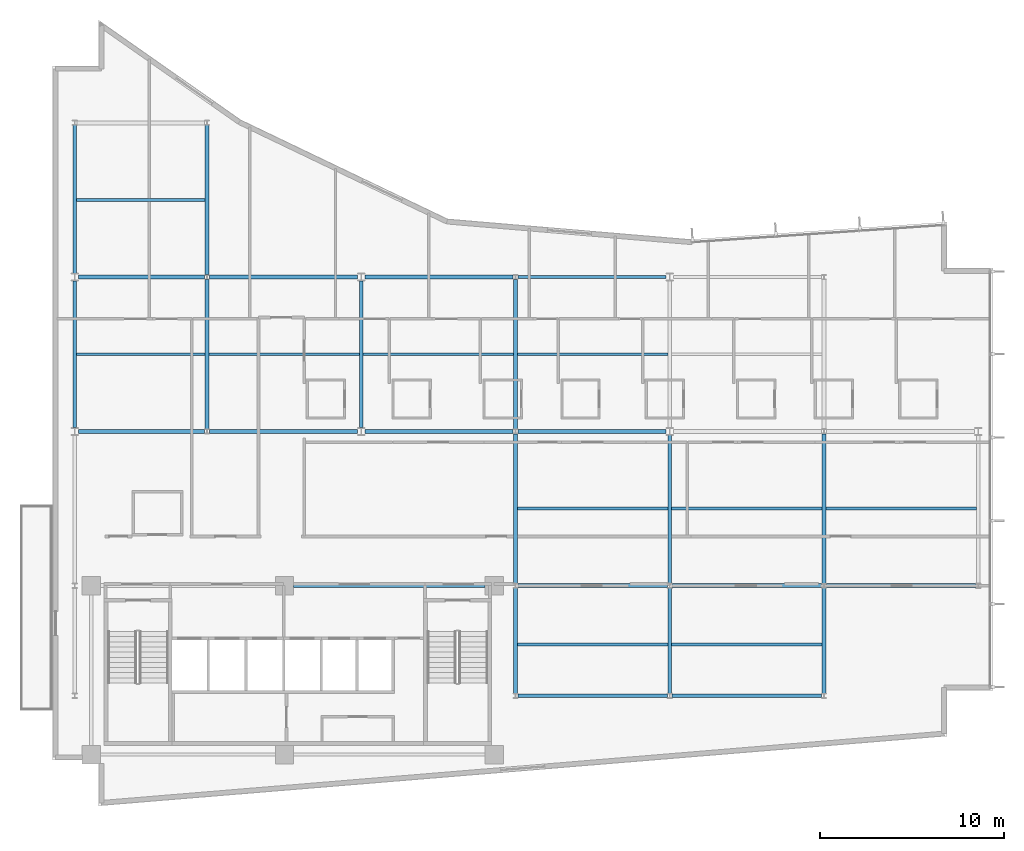
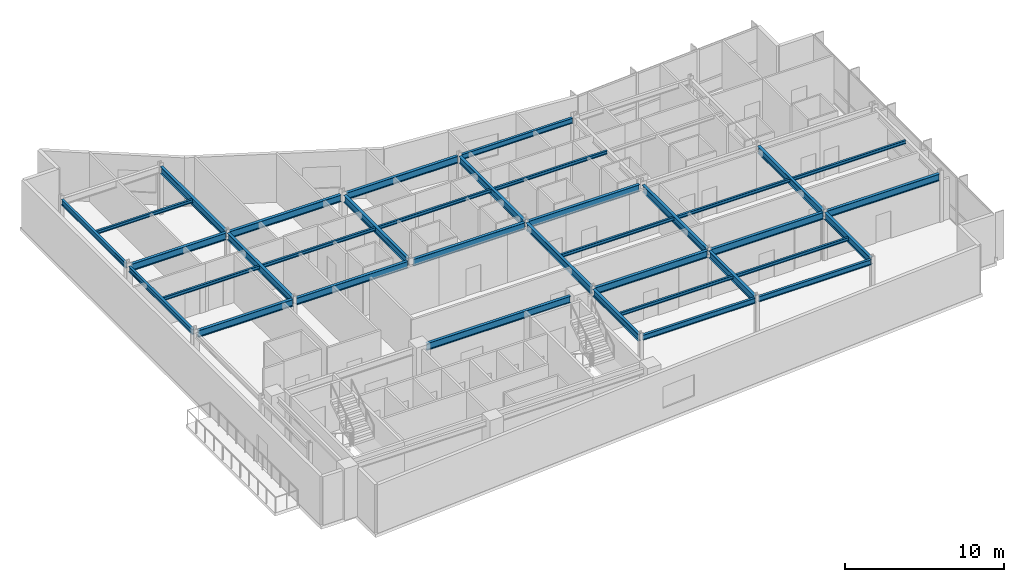
# One storey, part 4 of 17: 36 beams.
"""IFC4 building model written with IfcOpenShell, lengths in metres."""

from ifc_helpers import new_model, si_unit, direction, frame, origin, origin_2d, place, context, subcontext, project, spatial, i_section, extrude, material, material_profile, profile_set, type_object, element, save


model = new_model("IFC4")

# Units and contexts
model_context = context("Model", 3, precision=1e-05, world=origin(), true_north=direction((0.0, 1.0)))
body_context = subcontext(model_context, "Body", "Model", "MODEL_VIEW")
ifc_project = project(units=[si_unit("LENGTHUNIT", "METRE"), si_unit("AREAUNIT", "SQUARE_METRE"), si_unit("VOLUMEUNIT", "CUBIC_METRE"), si_unit("PLANEANGLEUNIT", "RADIAN"), si_unit("MASSUNIT", "GRAM", prefix="KILO")], contexts=[model_context])

# Site, building, storey
site_placement = place(None, origin())
site = spatial("IfcSite", under=ifc_project, at=site_placement, CompositionType="ELEMENT")
building_placement = place(site_placement, origin())
building = spatial("IfcBuilding", under=site, at=building_placement, Name="Varnakote Quay Hospital", CompositionType="ELEMENT")
storey_placement = place(building_placement, frame((0.0, 0.0, 219.75)))
storey = spatial("IfcBuildingStorey", under=building, at=storey_placement, Name="L54", CompositionType="ELEMENT", Elevation=219.75)

# Beams
ifc_material_1 = material(Name="Structural steel AS/NZS 3679.1 Grade 350 L0 (fy 340 MPa)", Category="steel")
ifc_material_profile_1 = material_profile(ifc_material_1, i_section(OverallWidth=0.208984375, OverallDepth=0.528076171875, WebThickness=0.009521484375, FlangeThickness=0.01318359375, FilletRadius=0.013916015625, at=origin_2d()), Name="530UB82.0")
ifc_profile_set_1 = profile_set([ifc_material_profile_1], Name="Structural steel AS/NZS 3679.1 Grade 350 L0 (fy 340 MPa)")
beam_type_1 = type_object("IfcBeamType", Name="BM-STL-530UB82-0", PredefinedType="BEAM", material=ifc_profile_set_1)
beam_1_placement = place(storey_placement, frame((8.39990234375, 20.530029296875, 3.446044921875), z_axis=(0.0, 1.0, 0.0), x_axis=(-1.0, 0.0, 0.0)))
element("IfcBeam", 1, at=beam_1_placement, inside=storey, type_object=beam_type_1, Name="L54 Primary Tie Beam", PredefinedType="BEAM", context=body_context, shape_type="SweptSolid", body=[
    extrude(i_section(OverallWidth=0.208984375, OverallDepth=0.528076171875, WebThickness=0.009521484375, FlangeThickness=0.01318359375, FilletRadius=0.013916015625, at=origin_2d()), origin(), (0.0, 0.0, 1.0), 8.139892578125),
])
beam_2_placement = place(storey_placement, frame((8.39990234375, 28.929931640625, 3.446044921875), z_axis=(0.0, 1.0, 0.0), x_axis=(-1.0, 0.0, 0.0)))
element("IfcBeam", 2, at=beam_2_placement, inside=storey, type_object=beam_type_1, Name="L54 Primary Tie Beam", PredefinedType="BEAM", context=body_context, shape_type="SweptSolid", body=[
    extrude(i_section(OverallWidth=0.208984375, OverallDepth=0.528076171875, WebThickness=0.009521484375, FlangeThickness=0.01318359375, FilletRadius=0.013916015625, at=origin_2d()), origin(), (0.0, 0.0, 1.0), 8.14013671875),
])
beam_3_placement = place(storey_placement, frame((16.800048828125, 20.60205078125, 3.446044921875), z_axis=(0.0, 1.0, 0.0), x_axis=(-1.0, 0.0, 0.0)))
element("IfcBeam", 3, at=beam_3_placement, inside=storey, type_object=beam_type_1, Name="L54 Primary Tie Beam", PredefinedType="BEAM", context=body_context, shape_type="SweptSolid", body=[
    extrude(i_section(OverallWidth=0.208984375, OverallDepth=0.528076171875, WebThickness=0.009521484375, FlangeThickness=0.01318359375, FilletRadius=0.013916015625, at=origin_2d()), origin(), (0.0, 0.0, 1.0), 7.995849609375),
])
beam_4_placement = place(storey_placement, frame((25.199951171875, 6.1298828125, 3.446044921875), z_axis=(0.0, 1.0, 0.0), x_axis=(-1.0, 0.0, 0.0)))
element("IfcBeam", 4, at=beam_4_placement, inside=storey, type_object=beam_type_1, Name="L54 Primary Tie Beam", PredefinedType="BEAM", context=body_context, shape_type="SweptSolid", body=[
    extrude(i_section(OverallWidth=0.208984375, OverallDepth=0.528076171875, WebThickness=0.009521484375, FlangeThickness=0.01318359375, FilletRadius=0.013916015625, at=origin_2d()), origin(), (0.0, 0.0, 1.0), 5.740234375),
])
beam_5_placement = place(storey_placement, frame((25.199951171875, 12.1298828125, 3.446044921875), z_axis=(0.0, 1.0, 0.0), x_axis=(-1.0, 0.0, 0.0)))
element("IfcBeam", 5, at=beam_5_placement, inside=storey, type_object=beam_type_1, Name="L54 Primary Tie Beam", PredefinedType="BEAM", context=body_context, shape_type="SweptSolid", body=[
    extrude(i_section(OverallWidth=0.208984375, OverallDepth=0.528076171875, WebThickness=0.009521484375, FlangeThickness=0.01318359375, FilletRadius=0.013916015625, at=origin_2d()), origin(), (0.0, 0.0, 1.0), 8.14013671875),
])
beam_6_placement = place(storey_placement, frame((25.199951171875, 20.530029296875, 3.446044921875), z_axis=(0.0, 1.0, 0.0), x_axis=(-1.0, 0.0, 0.0)))
element("IfcBeam", 6, at=beam_6_placement, inside=storey, type_object=beam_type_1, Name="L54 Primary Tie Beam", PredefinedType="BEAM", context=body_context, shape_type="SweptSolid", body=[
    extrude(i_section(OverallWidth=0.208984375, OverallDepth=0.528076171875, WebThickness=0.009521484375, FlangeThickness=0.01318359375, FilletRadius=0.013916015625, at=origin_2d()), origin(), (0.0, 0.0, 1.0), 8.139892578125),
])
beam_7_placement = place(storey_placement, frame((33.60009765625, 6.1298828125, 3.446044921875), z_axis=(0.0, 1.0, 0.0), x_axis=(-1.0, 0.0, 0.0)))
element("IfcBeam", 7, at=beam_7_placement, inside=storey, type_object=beam_type_1, Name="L54 Primary Tie Beam", PredefinedType="BEAM", context=body_context, shape_type="SweptSolid", body=[
    extrude(i_section(OverallWidth=0.208984375, OverallDepth=0.528076171875, WebThickness=0.009521484375, FlangeThickness=0.01318359375, FilletRadius=0.013916015625, at=origin_2d()), origin(), (0.0, 0.0, 1.0), 5.740234375),
])
beam_8_placement = place(storey_placement, frame((33.60009765625, 12.1298828125, 3.446044921875), z_axis=(0.0, 1.0, 0.0), x_axis=(-1.0, 0.0, 0.0)))
element("IfcBeam", 8, at=beam_8_placement, inside=storey, type_object=beam_type_1, Name="L54 Primary Tie Beam", PredefinedType="BEAM", context=body_context, shape_type="SweptSolid", body=[
    extrude(i_section(OverallWidth=0.208984375, OverallDepth=0.528076171875, WebThickness=0.009521484375, FlangeThickness=0.01318359375, FilletRadius=0.013916015625, at=origin_2d()), origin(), (0.0, 0.0, 1.0), 8.068115234375),
])
beam_9_placement = place(storey_placement, frame((42.0, 6.1298828125, 3.446044921875), z_axis=(0.0, 1.0, 0.0), x_axis=(-1.0, 0.0, 0.0)))
element("IfcBeam", 9, at=beam_9_placement, inside=storey, type_object=beam_type_1, Name="L54 Primary Tie Beam", PredefinedType="BEAM", context=body_context, shape_type="SweptSolid", body=[
    extrude(i_section(OverallWidth=0.208984375, OverallDepth=0.528076171875, WebThickness=0.009521484375, FlangeThickness=0.01318359375, FilletRadius=0.013916015625, at=origin_2d()), origin(), (0.0, 0.0, 1.0), 5.740234375),
])
beam_10_placement = place(storey_placement, frame((42.0, 12.1298828125, 3.446044921875), z_axis=(0.0, 1.0, 0.0), x_axis=(-1.0, 0.0, 0.0)))
element("IfcBeam", 10, at=beam_10_placement, inside=storey, type_object=beam_type_1, Name="L54 Primary Tie Beam", PredefinedType="BEAM", context=body_context, shape_type="SweptSolid", body=[
    extrude(i_section(OverallWidth=0.208984375, OverallDepth=0.528076171875, WebThickness=0.009521484375, FlangeThickness=0.01318359375, FilletRadius=0.013916015625, at=origin_2d()), origin(), (0.0, 0.0, 1.0), 8.14013671875),
])
ifc_material_2 = material(Name="Structural steel AS/NZS 3679.1 Grade 350 L0 (fy 340 MPa)", Category="steel")
ifc_material_profile_2 = material_profile(ifc_material_2, i_section(OverallWidth=0.208984375, OverallDepth=0.532958984375, WebThickness=0.01025390625, FlangeThickness=0.015625, FilletRadius=0.013916015625, at=origin_2d()), Name="530UB92.4")
ifc_profile_set_2 = profile_set([ifc_material_profile_2], Name="Structural steel AS/NZS 3679.1 Grade 350 L0 (fy 340 MPa)")
beam_type_2 = type_object("IfcBeamType", Name="BM-STL-530UB92-4", PredefinedType="BEAM", material=ifc_profile_set_2)
beam_11_placement = place(storey_placement, frame((13.1201171875, 12.0, 3.443603515625), z_axis=(1.0, 0.0, 0.0), x_axis=(0.0, 1.0, 0.0)))
element("IfcBeam", 11, at=beam_11_placement, inside=storey, type_object=beam_type_2, Name="L54 Primary Floor Beam", PredefinedType="BEAM", context=body_context, shape_type="SweptSolid", body=[
    extrude(i_section(OverallWidth=0.208984375, OverallDepth=0.532958984375, WebThickness=0.01025390625, FlangeThickness=0.015625, FilletRadius=0.013916015625, at=origin_2d()), origin(), (0.0, 0.0, 1.0), 10.429931640625),
])
for number, where, z_axis, x_axis, name in (
    (12, (25.327880859375, 12.0, 3.443603515625), (1.0, 0.0, 0.0), (0.0, 1.0, 0.0), "L54 Primary Floor Beam"),
    (13, (33.72802734375, 12.0, 3.443603515625), (1.0, 0.0, 0.0), (0.0, 1.0, 0.0), "L54 Primary Floor Beam"),
    (14, (42.1279296875, 12.0, 3.443603515625), (1.0, 0.0, 0.0), (0.0, 1.0, 0.0), "L54 Primary Floor Beam"),
):
    element("IfcBeam", number, at=place(storey_placement, frame(where, z_axis=z_axis, x_axis=x_axis)), inside=storey, type_object=beam_type_2, Name=name, PredefinedType="BEAM", context=body_context, shape_type="SweptSolid", body=[
        extrude(i_section(OverallWidth=0.208984375, OverallDepth=0.532958984375, WebThickness=0.01025390625, FlangeThickness=0.015625, FilletRadius=0.013916015625, at=origin_2d()), origin(), (0.0, 0.0, 1.0), 8.14404296875),
    ])
beam_12_placement = place(storey_placement, frame((1.39990234375, 20.39990234375, 3.443603515625), z_axis=(1.0, 0.0, 0.0), x_axis=(0.0, 1.0, 0.0)))
element("IfcBeam", 15, at=beam_12_placement, inside=storey, type_object=beam_type_2, Name="L54 Primary Floor Beam", PredefinedType="BEAM", context=body_context, shape_type="SweptSolid", body=[
    extrude(i_section(OverallWidth=0.208984375, OverallDepth=0.532958984375, WebThickness=0.01025390625, FlangeThickness=0.015625, FilletRadius=0.013916015625, at=origin_2d()), origin(), (0.0, 0.0, 1.0), 6.8720703125),
])
for number, where, z_axis, x_axis, name in (
    (16, (8.528076171875, 20.39990234375, 3.443603515625), (1.0, 0.0, 0.0), (0.0, 1.0, 0.0), "L54 Primary Floor Beam"),
    (17, (17.0, 20.39990234375, 3.443603515625), (1.0, 0.0, 0.0), (0.0, 1.0, 0.0), "L54 Primary Floor Beam"),
    (18, (25.327880859375, 20.39990234375, 3.443603515625), (1.0, 0.0, 0.0), (0.0, 1.0, 0.0), "L54 Primary Floor Beam"),
):
    element("IfcBeam", number, at=place(storey_placement, frame(where, z_axis=z_axis, x_axis=x_axis)), inside=storey, type_object=beam_type_2, Name=name, PredefinedType="BEAM", context=body_context, shape_type="SweptSolid", body=[
        extrude(i_section(OverallWidth=0.208984375, OverallDepth=0.532958984375, WebThickness=0.01025390625, FlangeThickness=0.015625, FilletRadius=0.013916015625, at=origin_2d()), origin(), (0.0, 0.0, 1.0), 8.072021484375),
    ])
beam_13_placement = place(storey_placement, frame((1.39990234375, 28.800048828125, 3.443603515625), z_axis=(1.0, 0.0, 0.0), x_axis=(0.0, 1.0, 0.0)))
element("IfcBeam", 19, at=beam_13_placement, inside=storey, type_object=beam_type_2, Name="L54 Primary Floor Beam", PredefinedType="BEAM", context=body_context, shape_type="SweptSolid", body=[
    extrude(i_section(OverallWidth=0.208984375, OverallDepth=0.532958984375, WebThickness=0.01025390625, FlangeThickness=0.015625, FilletRadius=0.013916015625, at=origin_2d()), origin(), (0.0, 0.0, 1.0), 6.8720703125),
])
for number, where, z_axis, x_axis, name in (
    (20, (8.528076171875, 28.800048828125, 3.443603515625), (1.0, 0.0, 0.0), (0.0, 1.0, 0.0), "L54 Primary Floor Beam"),
    (21, (17.0, 28.800048828125, 3.443603515625), (1.0, 0.0, 0.0), (0.0, 1.0, 0.0), "L54 Primary Floor Beam"),
):
    element("IfcBeam", number, at=place(storey_placement, frame(where, z_axis=z_axis, x_axis=x_axis)), inside=storey, type_object=beam_type_2, Name=name, PredefinedType="BEAM", context=body_context, shape_type="SweptSolid", body=[
        extrude(i_section(OverallWidth=0.208984375, OverallDepth=0.532958984375, WebThickness=0.01025390625, FlangeThickness=0.015625, FilletRadius=0.013916015625, at=origin_2d()), origin(), (0.0, 0.0, 1.0), 8.072021484375),
    ])
ifc_material_3 = material(Name="Structural steel AS/NZS 3679.1 Grade 350 L0 (fy 340 MPa)", Category="steel")
ifc_material_profile_3 = material_profile(ifc_material_3, i_section(OverallWidth=0.14599609375, OverallDepth=0.256103515625, WebThickness=0.00634765625, FlangeThickness=0.010986328125, FilletRadius=0.0087890625, at=origin_2d()), Name="250UB37.3")
ifc_profile_set_3 = profile_set([ifc_material_profile_3], Name="Structural steel AS/NZS 3679.1 Grade 350 L0 (fy 340 MPa)")
beam_type_3 = type_object("IfcBeamType", Name="JST-STL-250UB37-3", PredefinedType="JOIST", material=ifc_profile_set_3)
beam_14_placement = place(storey_placement, frame((25.304443359375, 8.800048828125, 3.58203125), z_axis=(1.0, 0.0, 0.0), x_axis=(0.0, 1.0, 0.0)))
element("IfcBeam", 22, at=beam_14_placement, inside=storey, type_object=beam_type_3, Name="L54 Composite Floor Joist", PredefinedType="JOIST", context=body_context, shape_type="SweptSolid", body=[
    extrude(i_section(OverallWidth=0.14599609375, OverallDepth=0.256103515625, WebThickness=0.00634765625, FlangeThickness=0.010986328125, FilletRadius=0.0087890625, at=origin_2d()), origin(), (0.0, 0.0, 1.0), 8.191162109375),
])
beam_15_placement = place(storey_placement, frame((33.70458984375, 8.800048828125, 3.58203125), z_axis=(1.0, 0.0, 0.0), x_axis=(0.0, 1.0, 0.0)))
element("IfcBeam", 23, at=beam_15_placement, inside=storey, type_object=beam_type_3, Name="L54 Composite Floor Joist", PredefinedType="JOIST", context=body_context, shape_type="SweptSolid", body=[
    extrude(i_section(OverallWidth=0.14599609375, OverallDepth=0.256103515625, WebThickness=0.00634765625, FlangeThickness=0.010986328125, FilletRadius=0.0087890625, at=origin_2d()), origin(), (0.0, 0.0, 1.0), 8.19091796875),
])
beam_16_placement = place(storey_placement, frame((25.304443359375, 16.199951171875, 3.58203125), z_axis=(1.0, 0.0, 0.0), x_axis=(0.0, 1.0, 0.0)))
element("IfcBeam", 24, at=beam_16_placement, inside=storey, type_object=beam_type_3, Name="L54 Composite Floor Joist", PredefinedType="JOIST", context=body_context, shape_type="SweptSolid", body=[
    extrude(i_section(OverallWidth=0.14599609375, OverallDepth=0.256103515625, WebThickness=0.00634765625, FlangeThickness=0.010986328125, FilletRadius=0.0087890625, at=origin_2d()), origin(), (0.0, 0.0, 1.0), 8.191162109375),
])
for number, where, z_axis, x_axis, name in (
    (25, (33.70458984375, 16.199951171875, 3.58203125), (1.0, 0.0, 0.0), (0.0, 1.0, 0.0), "L54 Composite Floor Joist"),
    (26, (42.1044921875, 16.199951171875, 3.58203125), (1.0, 0.0, 0.0), (0.0, 1.0, 0.0), "L54 Composite Floor Joist"),
):
    element("IfcBeam", number, at=place(storey_placement, frame(where, z_axis=z_axis, x_axis=x_axis)), inside=storey, type_object=beam_type_3, Name=name, PredefinedType="JOIST", context=body_context, shape_type="SweptSolid", body=[
        extrude(i_section(OverallWidth=0.14599609375, OverallDepth=0.256103515625, WebThickness=0.00634765625, FlangeThickness=0.010986328125, FilletRadius=0.0087890625, at=origin_2d()), origin(), (0.0, 0.0, 1.0), 8.19091796875),
    ])
beam_17_placement = place(storey_placement, frame((1.2890625, 24.60009765625, 3.58203125), z_axis=(1.0, 0.0, 0.0), x_axis=(0.0, 1.0, 0.0)))
element("IfcBeam", 27, at=beam_17_placement, inside=storey, type_object=beam_type_3, Name="L54 Composite Floor Joist", PredefinedType="JOIST", context=body_context, shape_type="SweptSolid", body=[
    extrude(i_section(OverallWidth=0.14599609375, OverallDepth=0.256103515625, WebThickness=0.00634765625, FlangeThickness=0.010986328125, FilletRadius=0.0087890625, at=origin_2d()), origin(), (0.0, 0.0, 1.0), 7.00634765625),
])
beam_18_placement = place(storey_placement, frame((8.50439453125, 24.60009765625, 3.58203125), z_axis=(1.0, 0.0, 0.0), x_axis=(0.0, 1.0, 0.0)))
element("IfcBeam", 28, at=beam_18_placement, inside=storey, type_object=beam_type_3, Name="L54 Composite Floor Joist", PredefinedType="JOIST", context=body_context, shape_type="SweptSolid", body=[
    extrude(i_section(OverallWidth=0.14599609375, OverallDepth=0.256103515625, WebThickness=0.00634765625, FlangeThickness=0.010986328125, FilletRadius=0.0087890625, at=origin_2d()), origin(), (0.0, 0.0, 1.0), 8.191162109375),
])
beam_19_placement = place(storey_placement, frame((16.904541015625, 24.60009765625, 3.58203125), z_axis=(1.0, 0.0, 0.0), x_axis=(0.0, 1.0, 0.0)))
element("IfcBeam", 29, at=beam_19_placement, inside=storey, type_object=beam_type_3, Name="L54 Composite Floor Joist", PredefinedType="JOIST", context=body_context, shape_type="SweptSolid", body=[
    extrude(i_section(OverallWidth=0.14599609375, OverallDepth=0.256103515625, WebThickness=0.00634765625, FlangeThickness=0.010986328125, FilletRadius=0.0087890625, at=origin_2d()), origin(), (0.0, 0.0, 1.0), 8.19091796875),
])
beam_20_placement = place(storey_placement, frame((25.304443359375, 24.60009765625, 3.58203125), z_axis=(1.0, 0.0, 0.0), x_axis=(0.0, 1.0, 0.0)))
element("IfcBeam", 30, at=beam_20_placement, inside=storey, type_object=beam_type_3, Name="L54 Composite Floor Joist", PredefinedType="JOIST", context=body_context, shape_type="SweptSolid", body=[
    extrude(i_section(OverallWidth=0.14599609375, OverallDepth=0.256103515625, WebThickness=0.00634765625, FlangeThickness=0.010986328125, FilletRadius=0.0087890625, at=origin_2d()), origin(), (0.0, 0.0, 1.0), 8.191162109375),
])
beam_21_placement = place(storey_placement, frame((1.2890625, 33.0, 3.58203125), z_axis=(1.0, 0.0, 0.0), x_axis=(0.0, 1.0, 0.0)))
element("IfcBeam", 31, at=beam_21_placement, inside=storey, type_object=beam_type_3, Name="L54 Composite Floor Joist", PredefinedType="JOIST", context=body_context, shape_type="SweptSolid", body=[
    extrude(i_section(OverallWidth=0.14599609375, OverallDepth=0.256103515625, WebThickness=0.00634765625, FlangeThickness=0.010986328125, FilletRadius=0.0087890625, at=origin_2d()), origin(), (0.0, 0.0, 1.0), 7.00634765625),
])
ifc_material_4 = material(Name="Structural steel AS/NZS 3679.1 Grade 350 L0 (fy 340 MPa)", Category="steel")
ifc_material_profile_4 = material_profile(ifc_material_4, i_section(OverallWidth=0.177978515625, OverallDepth=0.403076171875, WebThickness=0.007568359375, FlangeThickness=0.010986328125, FilletRadius=0.011474609375, at=origin_2d()), Name="410UB53.7")
ifc_profile_set_4 = profile_set([ifc_material_profile_4], Name="Structural steel AS/NZS 3679.1 Grade 350 L0 (fy 340 MPa)")
beam_type_4 = type_object("IfcBeamType", Name="SPN-STL-410UB53-7", PredefinedType="SPANDREL", material=ifc_profile_set_4)
beam_22_placement = place(storey_placement, frame((1.199951171875, 20.60205078125, 3.508544921875), z_axis=(0.0, 1.0, 0.0), x_axis=(-1.0, 0.0, 0.0)))
element("IfcBeam", 32, at=beam_22_placement, inside=storey, type_object=beam_type_4, Name="L54 Perimeter Spandrel Beam", PredefinedType="SPANDREL", context=body_context, shape_type="SweptSolid", body=[
    extrude(i_section(OverallWidth=0.177978515625, OverallDepth=0.403076171875, WebThickness=0.007568359375, FlangeThickness=0.010986328125, FilletRadius=0.011474609375, at=origin_2d()), origin(), (0.0, 0.0, 1.0), 7.995849609375),
])
beam_23_placement = place(storey_placement, frame((1.199951171875, 29.001953125, 3.508544921875), z_axis=(0.0, 1.0, 0.0), x_axis=(-1.0, 0.0, 0.0)))
element("IfcBeam", 33, at=beam_23_placement, inside=storey, type_object=beam_type_4, Name="L54 Perimeter Spandrel Beam", PredefinedType="SPANDREL", context=body_context, shape_type="SweptSolid", body=[
    extrude(i_section(OverallWidth=0.177978515625, OverallDepth=0.403076171875, WebThickness=0.007568359375, FlangeThickness=0.010986328125, FilletRadius=0.011474609375, at=origin_2d()), origin(), (0.0, 0.0, 1.0), 8.068115234375),
])
ifc_material_5 = material(Name="Structural steel AS/NZS 3679.1 Grade 350 L0 (fy 340 MPa)", Category="steel")
ifc_material_profile_5 = material_profile(ifc_material_5, i_section(OverallWidth=0.177978515625, OverallDepth=0.406005859375, WebThickness=0.0078125, FlangeThickness=0.0126953125, FilletRadius=0.011474609375, at=origin_2d()), Name="410UB59.7")
ifc_profile_set_5 = profile_set([ifc_material_profile_5], Name="Structural steel AS/NZS 3679.1 Grade 350 L0 (fy 340 MPa)")
beam_type_5 = type_object("IfcBeamType", Name="SPN-STL-410UB59-7", PredefinedType="SPANDREL", material=ifc_profile_set_5)
for number, where, z_axis, x_axis, name in (
    (34, (25.327880859375, 6.0, 3.507080078125), (1.0, 0.0, 0.0), (0.0, 1.0, 0.0), "L54 Perimeter Spandrel Beam"),
    (35, (33.72802734375, 6.0, 3.507080078125), (1.0, 0.0, 0.0), (0.0, 1.0, 0.0), "L54 Perimeter Spandrel Beam"),
):
    element("IfcBeam", number, at=place(storey_placement, frame(where, z_axis=z_axis, x_axis=x_axis)), inside=storey, type_object=beam_type_5, Name=name, PredefinedType="SPANDREL", context=body_context, shape_type="SweptSolid", body=[
        extrude(i_section(OverallWidth=0.177978515625, OverallDepth=0.406005859375, WebThickness=0.0078125, FlangeThickness=0.0126953125, FilletRadius=0.011474609375, at=origin_2d()), origin(), (0.0, 0.0, 1.0), 8.14404296875),
    ])
beam_24_placement = place(storey_placement, frame((25.327880859375, 28.800048828125, 3.507080078125), z_axis=(1.0, 0.0, 0.0), x_axis=(0.0, 1.0, 0.0)))
element("IfcBeam", 36, at=beam_24_placement, inside=storey, type_object=beam_type_5, Name="L54 Perimeter Spandrel Beam", PredefinedType="SPANDREL", context=body_context, shape_type="SweptSolid", body=[
    extrude(i_section(OverallWidth=0.177978515625, OverallDepth=0.406005859375, WebThickness=0.0078125, FlangeThickness=0.0126953125, FilletRadius=0.011474609375, at=origin_2d()), origin(), (0.0, 0.0, 1.0), 8.072021484375),
])

save(model, "model.ifc")
